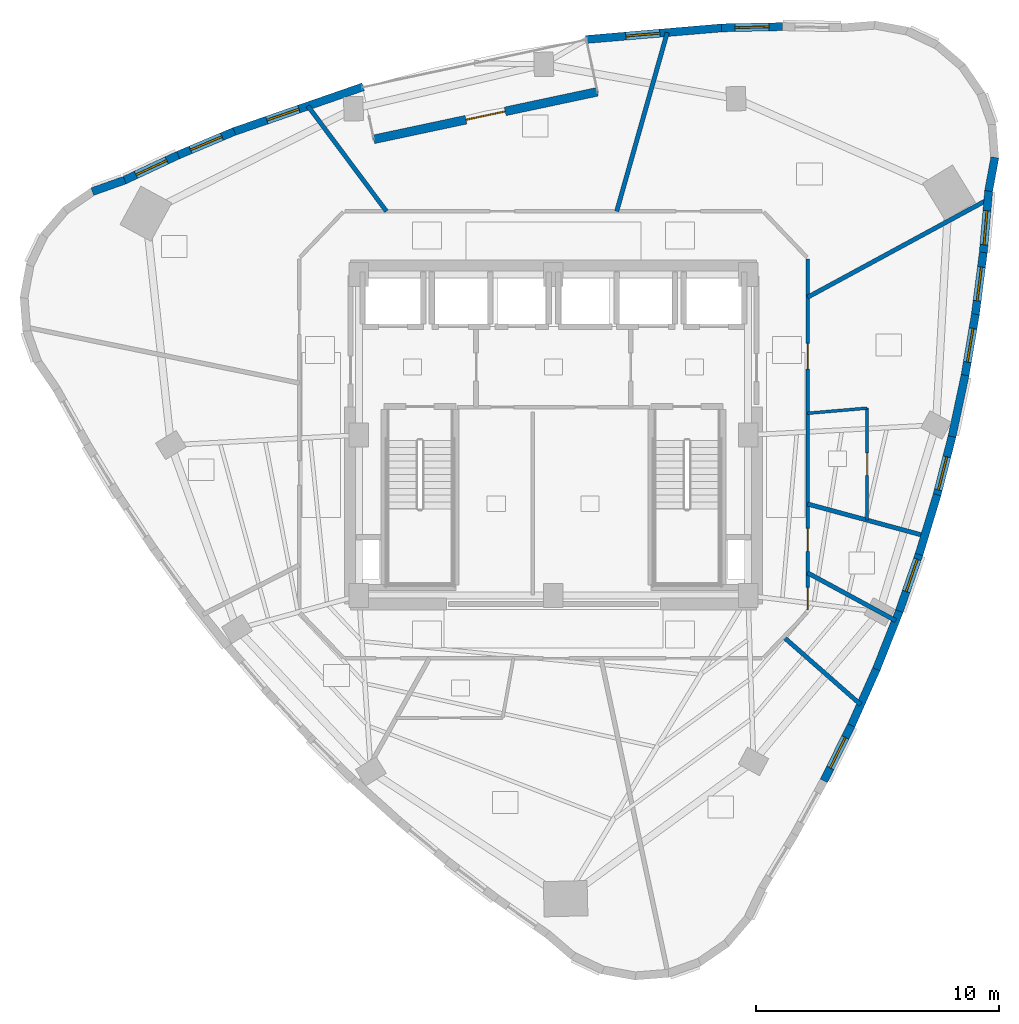
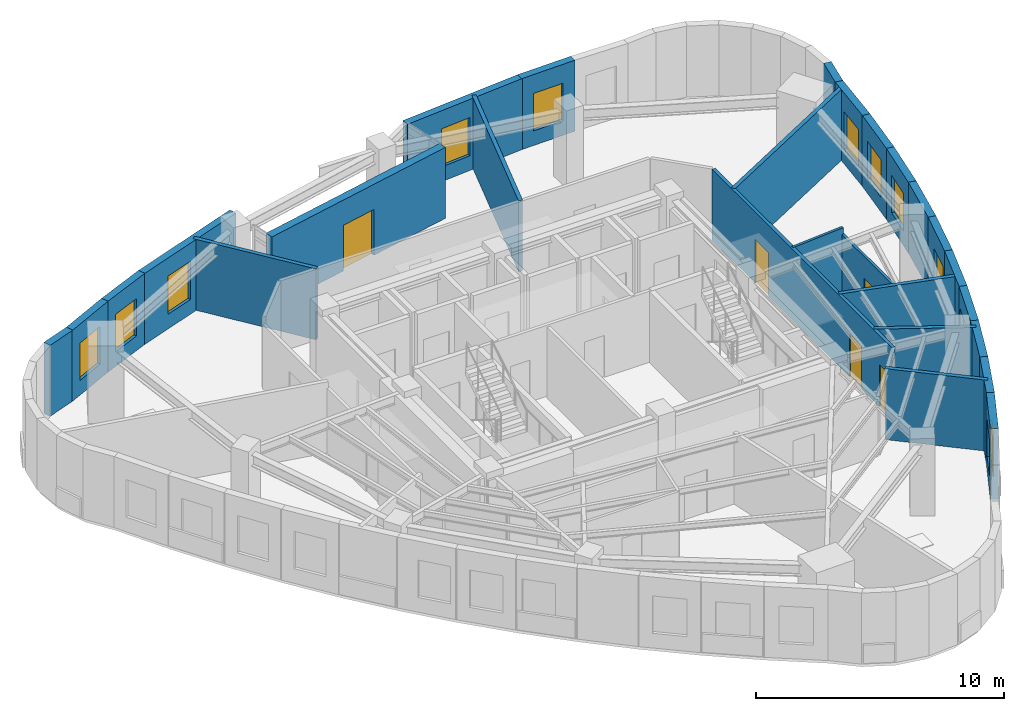
# One storey, part 6 of 10: 27 walls, 11 windows, 5 doors, 16 openings.
"""IFC4 building model written with IfcOpenShell, lengths in metres."""

from ifc_helpers import new_model, si_unit, direction, frame, frame_2d, origin, place, context, subcontext, project, spatial, rectangle, extrude, material, layer, layer_set, type_object, element, fill, save


model = new_model("IFC4")

# Units and contexts
model_context = context("Model", 3, precision=1e-05, world=origin(), true_north=direction((0.0, 1.0)))
body_context = subcontext(model_context, "Body", "Model", "MODEL_VIEW")
ifc_project = project(units=[si_unit("LENGTHUNIT", "METRE"), si_unit("AREAUNIT", "SQUARE_METRE"), si_unit("VOLUMEUNIT", "CUBIC_METRE"), si_unit("PLANEANGLEUNIT", "RADIAN"), si_unit("MASSUNIT", "GRAM", prefix="KILO")], contexts=[model_context])

# Site, building, storey
site_placement = place(None, origin())
site = spatial("IfcSite", under=ifc_project, at=site_placement, CompositionType="ELEMENT")
building_placement = place(site_placement, origin())
building = spatial("IfcBuilding", under=site, at=building_placement, Name="Ndelora Gate Hotel", CompositionType="ELEMENT")
storey_placement = place(building_placement, frame((0.0, 0.0, 251.14990234375)))
storey = spatial("IfcBuildingStorey", under=building, at=storey_placement, Name="L63", CompositionType="ELEMENT", Elevation=251.14990234375)

# Walls
ifc_material_1 = material(Name="Acoustic Double-Stud Gypsum Assembly", Category="gypsum")
ifc_layer_1 = layer(ifc_material_1, 0.179931640625)
ifc_layer_set_1 = layer_set([ifc_layer_1], Name="Acoustic Double-Stud Gypsum Assembly")
wall_type_1 = type_object("IfcWallType", Name="WL-ACOUST-180", PredefinedType="PARTITIONING", material=ifc_layer_set_1)
wall_1_placement = place(storey_placement, frame((10.449951171875, -2.83544921875, 0.0), z_axis=(0.0, 0.0, 1.0), x_axis=(0.965095058009, -0.261899845374, 0.0)))
element("IfcWall", 1, at=wall_1_placement, inside=storey, type_object=wall_type_1, Name="L63 Interior Wall IW-3", PredefinedType="PARTITIONING", context=body_context, shape_type="SweptSolid", body=[
    extrude(rectangle(XDim=4.989013671875, YDim=0.179931640625, at=frame_2d((2.49462890625, 0.0))), origin(), (0.0, 0.0, 1.0), 3.489990234375),
])
wall_2_placement = place(storey_placement, frame((10.449951171875, 5.665283203125, 0.0), z_axis=(0.0, 0.0, 1.0), x_axis=(0.879133819753, 0.476574996161, 0.0)))
element("IfcWall", 2, at=wall_2_placement, inside=storey, type_object=wall_type_1, Name="L63 Interior Wall IW-3", PredefinedType="PARTITIONING", context=body_context, shape_type="SweptSolid", body=[
    extrude(rectangle(XDim=8.434326171875, YDim=0.179931640625, at=frame_2d((4.21728515625, 0.0))), origin(), (0.0, 0.0, 1.0), 3.489990234375),
])
wall_3_placement = place(storey_placement, frame((2.600830078125, 9.199951171875, 0.0), z_axis=(0.0, 0.0, 1.0), x_axis=(0.272031000257, 0.962288488396, 0.0)))
element("IfcWall", 3, at=wall_3_placement, inside=storey, type_object=wall_type_1, Name="L63 Interior Wall IW-3", PredefinedType="PARTITIONING", context=body_context, shape_type="SweptSolid", body=[
    extrude(rectangle(XDim=7.638427734375, YDim=0.179931640625, at=frame_2d((3.8193359375, 0.0))), origin(), (0.0, 0.0, 1.0), 3.489990234375),
])
wall_4_placement = place(storey_placement, frame((-6.866455078125, 9.199951171875, 0.0), z_axis=(0.0, 0.0, 1.0), x_axis=(-0.598111697764, 0.801412750709, 0.0)))
element("IfcWall", 4, at=wall_4_placement, inside=storey, type_object=wall_type_1, Name="L63 Interior Wall IW-3", PredefinedType="PARTITIONING", context=body_context, shape_type="SweptSolid", body=[
    extrude(rectangle(XDim=5.404052734375, YDim=0.179931640625, at=frame_2d((2.7021484375, 0.0))), origin(), (0.0, 0.0, 1.0), 3.489990234375),
])
wall_5_placement = place(storey_placement, frame((9.464111328125, -8.3037109375, 0.0), z_axis=(0.0, 0.0, 1.0), x_axis=(0.751703129052, -0.659501634398, 0.0)))
element("IfcWall", 5, at=wall_5_placement, inside=storey, type_object=wall_type_1, Name="L63 Interior Wall IW-3", PredefinedType="PARTITIONING", context=body_context, shape_type="SweptSolid", body=[
    extrude(rectangle(XDim=4.210205078125, YDim=0.179931640625, at=frame_2d((2.10498046875, 0.0))), origin(), (0.0, 0.0, 1.0), 3.489990234375),
])
wall_6_placement = place(storey_placement, frame((10.449951171875, -5.666748046875, 0.0), z_axis=(0.0, 0.0, 1.0), x_axis=(0.879067247928, -0.476697780171, 0.0)))
element("IfcWall", 6, at=wall_6_placement, inside=storey, type_object=wall_type_1, Name="L63 Interior Wall IW-3", PredefinedType="PARTITIONING", context=body_context, shape_type="SweptSolid", body=[
    extrude(rectangle(XDim=4.11572265625, YDim=0.179931640625, at=frame_2d((2.057861328125, 0.0))), origin(), (0.0, 0.0, 1.0), 3.489990234375),
])
ifc_material_2 = material(Name="Clay Brick Masonry", Category="masonry")
ifc_layer_2 = layer(ifc_material_2, 0.330078125)
ifc_layer_set_2 = layer_set([ifc_layer_2], Name="Clay Brick Masonry")
wall_type_2 = type_object("IfcWallType", Name="WL-BRICK-330", PredefinedType="SOLIDWALL", material=ifc_layer_set_2)
wall_7_placement = place(storey_placement, frame((-18.959716796875, 10.010498046875, 0.0), z_axis=(0.0, 0.0, 1.0), x_axis=(0.942676111555, 0.333709077945, 0.0)))
element("IfcWall", 7, at=wall_7_placement, inside=storey, type_object=wall_type_2, Name="L63 Tower Brick Pier-and-Spandrel Wall TWR-1", PredefinedType="SOLIDWALL", context=body_context, shape_type="SweptSolid", body=[
    extrude(rectangle(XDim=1.40771484375, YDim=0.330078125, at=frame_2d((0.703857421875, 0.0))), origin(), (0.0, 0.0, 1.0), 3.489990234375),
])

# Wall, opening, window
wall_8_placement = place(storey_placement, frame((12.267333984375, -11.89501953125, 0.0), z_axis=(0.0, 0.0, 1.0), x_axis=(-0.44393335953, -0.896059803973, 0.0)))
wall_8 = element("IfcWall", 8, at=wall_8_placement, inside=storey, type_object=wall_type_2, Name="L63 Tower Brick Pier-and-Spandrel Wall TWR-31", PredefinedType="SOLIDWALL", context=body_context, shape_type="SweptSolid", body=[
    extrude(rectangle(XDim=2.592529296875, YDim=0.330078125, at=frame_2d((1.29638671875, 0.0))), origin(), (0.0, 0.0, 1.0), 3.489990234375),
])
opening_1_placement = place(wall_8_placement, frame((0.59619140625, 0.0, 0.719970703125)))
opening_1 = element("IfcOpeningElement", 9, at=opening_1_placement, cuts=wall_8, Name="Opening W02", PredefinedType="OPENING", context=body_context, shape_type="SweptSolid", body=[
    extrude(rectangle(XDim=1.39990234375, YDim=1.840087890625, at=frame_2d((0.699951171875, 0.919921875))), frame((0.0, 0.175048828125, 0.0), z_axis=(0.0, -1.0, 0.0), x_axis=(1.0, 0.0, 0.0)), (0.0, 0.0, 1.0), 0.35009765625),
])
ifc_material_3 = material(Name="Insulated Low-E Double Glazing in Bronze Aluminium Frame", Category="aluminium")
window_type = type_object("IfcWindowType", Name="WN-DEEP-1400", PartitioningType="SINGLE_PANEL", PredefinedType="WINDOW", material=ifc_material_3)
window_1_placement = place(opening_1_placement, origin())
window_1 = element("IfcWindow", 10, at=window_1_placement, inside=storey, type_object=window_type, Name="L63 Deep-Set Brick-Pier Window W02", OverallHeight=1.840087890625, OverallWidth=1.39990234375, PartitioningType="SINGLE_PANEL", PredefinedType="WINDOW", context=body_context, shape_type="SweptSolid", body=[
    extrude(rectangle(XDim=1.39990234375, YDim=1.840087890625, at=frame_2d((0.699951171875, 0.919921875))), frame((0.0, 0.030029296875, 0.0), z_axis=(0.0, -1.0, 0.0), x_axis=(1.0, 0.0, 0.0)), (0.0, 0.0, 1.0), 0.06005859375),
])
fill(opening_1, window_1)

# Walls
wall_9_placement = place(storey_placement, frame((13.294921875, -9.583740234375, 0.0), z_axis=(0.0, 0.0, 1.0), x_axis=(-0.406630213632, -0.913592835656, 0.0)))
element("IfcWall", 11, at=wall_9_placement, inside=storey, type_object=wall_type_2, Name="L63 Tower Brick Pier-and-Spandrel Wall TWR-32", PredefinedType="SOLIDWALL", context=body_context, shape_type="SweptSolid", body=[
    extrude(rectangle(XDim=2.579345703125, YDim=0.330078125, at=frame_2d((1.28955078125, 0.0))), origin(), (0.0, 0.0, 1.0), 3.489990234375),
])
wall_10_placement = place(storey_placement, frame((14.2216796875, -7.23974609375, 0.0), z_axis=(0.0, 0.0, 1.0), x_axis=(-0.368145960329, -0.929768009717, 0.0)))
element("IfcWall", 12, at=wall_10_placement, inside=storey, type_object=wall_type_2, Name="L63 Tower Brick Pier-and-Spandrel Wall TWR-33", PredefinedType="SOLIDWALL", context=body_context, shape_type="SweptSolid", body=[
    extrude(rectangle(XDim=2.5703125, YDim=0.330078125, at=frame_2d((1.28515625, 0.0))), origin(), (0.0, 0.0, 1.0), 3.489990234375),
])

# Wall, opening, window
wall_11_placement = place(storey_placement, frame((15.04833984375, -4.86328125, 0.0), z_axis=(0.0, 0.0, 1.0), x_axis=(-0.328900678989, -0.944364518266, 0.0)))
wall_11 = element("IfcWall", 13, at=wall_11_placement, inside=storey, type_object=wall_type_2, Name="L63 Tower Brick Pier-and-Spandrel Wall TWR-34", PredefinedType="SOLIDWALL", context=body_context, shape_type="SweptSolid", body=[
    extrude(rectangle(XDim=2.566162109375, YDim=0.330078125, at=frame_2d((1.283203125, 0.0))), origin(), (0.0, 0.0, 1.0), 3.489990234375),
])
opening_2_placement = place(wall_11_placement, frame((0.260009765625, 0.0, 0.719970703125)))
opening_2 = element("IfcOpeningElement", 14, at=opening_2_placement, cuts=wall_11, Name="Opening W02", PredefinedType="OPENING", context=body_context, shape_type="SweptSolid", body=[
    extrude(rectangle(XDim=1.39990234375, YDim=1.840087890625, at=frame_2d((0.699951171875, 0.919921875))), frame((0.0, 0.175048828125, 0.0), z_axis=(0.0, -1.0, 0.0), x_axis=(1.0, 0.0, 0.0)), (0.0, 0.0, 1.0), 0.35009765625),
])
window_2_placement = place(opening_2_placement, origin())
window_2 = element("IfcWindow", 15, at=window_2_placement, inside=storey, type_object=window_type, Name="L63 Deep-Set Brick-Pier Window W02", OverallHeight=1.840087890625, OverallWidth=1.39990234375, PartitioningType="SINGLE_PANEL", PredefinedType="WINDOW", context=body_context, shape_type="SweptSolid", body=[
    extrude(rectangle(XDim=1.39990234375, YDim=1.840087890625, at=frame_2d((0.699951171875, 0.919921875))), frame((0.0, 0.030029296875, 0.0), z_axis=(0.0, -1.0, 0.0), x_axis=(1.0, 0.0, 0.0)), (0.0, 0.0, 1.0), 0.06005859375),
])
fill(opening_2, window_2)

# Wall
wall_12_placement = place(storey_placement, frame((15.7744140625, -2.4541015625, 0.0), z_axis=(0.0, 0.0, 1.0), x_axis=(-0.288953589152, -0.957343106371, 0.0)))
element("IfcWall", 16, at=wall_12_placement, inside=storey, type_object=wall_type_2, Name="L63 Tower Brick Pier-and-Spandrel Wall TWR-35", PredefinedType="SOLIDWALL", context=body_context, shape_type="SweptSolid", body=[
    extrude(rectangle(XDim=2.56591796875, YDim=0.330078125, at=frame_2d((1.282958984375, 0.0))), origin(), (0.0, 0.0, 1.0), 3.489990234375),
])

# Wall, opening, window
wall_13_placement = place(storey_placement, frame((16.400390625, -0.012451171875, 0.0), z_axis=(0.0, 0.0, 1.0), x_axis=(-0.248743226802, -0.968569464272, 0.0)))
wall_13 = element("IfcWall", 17, at=wall_13_placement, inside=storey, type_object=wall_type_2, Name="L63 Tower Brick Pier-and-Spandrel Wall TWR-36", PredefinedType="SOLIDWALL", context=body_context, shape_type="SweptSolid", body=[
    extrude(rectangle(XDim=2.570556640625, YDim=0.330078125, at=frame_2d((1.28515625, 0.0))), origin(), (0.0, 0.0, 1.0), 3.489990234375),
])
opening_3_placement = place(wall_13_placement, frame((0.91064453125, 0.0, 0.719970703125)))
opening_3 = element("IfcOpeningElement", 18, at=opening_3_placement, cuts=wall_13, Name="Opening W02", PredefinedType="OPENING", context=body_context, shape_type="SweptSolid", body=[
    extrude(rectangle(XDim=1.39990234375, YDim=1.840087890625, at=frame_2d((0.699951171875, 0.919921875))), frame((0.0, 0.175048828125, 0.0), z_axis=(0.0, -1.0, 0.0), x_axis=(1.0, 0.0, 0.0)), (0.0, 0.0, 1.0), 0.35009765625),
])
window_3_placement = place(opening_3_placement, origin())
window_3 = element("IfcWindow", 19, at=window_3_placement, inside=storey, type_object=window_type, Name="L63 Deep-Set Brick-Pier Window W02", OverallHeight=1.840087890625, OverallWidth=1.39990234375, PartitioningType="SINGLE_PANEL", PredefinedType="WINDOW", context=body_context, shape_type="SweptSolid", body=[
    extrude(rectangle(XDim=1.39990234375, YDim=1.840087890625, at=frame_2d((0.699951171875, 0.919921875))), frame((0.0, 0.030029296875, 0.0), z_axis=(0.0, -1.0, 0.0), x_axis=(1.0, 0.0, 0.0)), (0.0, 0.0, 1.0), 0.06005859375),
])
fill(opening_3, window_3)

# Wall
wall_14_placement = place(storey_placement, frame((16.925537109375, 2.4619140625, 0.0), z_axis=(0.0, 0.0, 1.0), x_axis=(-0.208022879961, -0.978123960146, 0.0)))
element("IfcWall", 20, at=wall_14_placement, inside=storey, type_object=wall_type_2, Name="L63 Tower Brick Pier-and-Spandrel Wall TWR-37", PredefinedType="SOLIDWALL", context=body_context, shape_type="SweptSolid", body=[
    extrude(rectangle(XDim=2.57958984375, YDim=0.330078125, at=frame_2d((1.289794921875, 0.0))), origin(), (0.0, 0.0, 1.0), 3.489990234375),
])

# Wall, opening, window
wall_15_placement = place(storey_placement, frame((17.3505859375, 4.968505859375, 0.0), z_axis=(0.0, 0.0, 1.0), x_axis=(-0.167528680251, -0.985867202667, 0.0)))
wall_15 = element("IfcWall", 21, at=wall_15_placement, inside=storey, type_object=wall_type_2, Name="L63 Tower Brick Pier-and-Spandrel Wall TWR-38", PredefinedType="SOLIDWALL", context=body_context, shape_type="SweptSolid", body=[
    extrude(rectangle(XDim=2.592529296875, YDim=0.330078125, at=frame_2d((1.29638671875, 0.0))), origin(), (0.0, 0.0, 1.0), 3.489990234375),
])
opening_4_placement = place(wall_15_placement, frame((0.59619140625, 0.0, 0.719970703125)))
opening_4 = element("IfcOpeningElement", 22, at=opening_4_placement, cuts=wall_15, Name="Opening W02", PredefinedType="OPENING", context=body_context, shape_type="SweptSolid", body=[
    extrude(rectangle(XDim=1.39990234375, YDim=1.840087890625, at=frame_2d((0.699951171875, 0.919921875))), frame((0.0, 0.175048828125, 0.0), z_axis=(0.0, -1.0, 0.0), x_axis=(1.0, 0.0, 0.0)), (0.0, 0.0, 1.0), 0.35009765625),
])
window_4_placement = place(opening_4_placement, origin())
window_4 = element("IfcWindow", 23, at=window_4_placement, inside=storey, type_object=window_type, Name="L63 Deep-Set Brick-Pier Window W02", OverallHeight=1.840087890625, OverallWidth=1.39990234375, PartitioningType="SINGLE_PANEL", PredefinedType="WINDOW", context=body_context, shape_type="SweptSolid", body=[
    extrude(rectangle(XDim=1.39990234375, YDim=1.840087890625, at=frame_2d((0.699951171875, 0.919921875))), frame((0.0, 0.030029296875, 0.0), z_axis=(0.0, -1.0, 0.0), x_axis=(1.0, 0.0, 0.0)), (0.0, 0.0, 1.0), 0.06005859375),
])
fill(opening_4, window_4)

wall_16_placement = place(storey_placement, frame((17.67529296875, 7.5078125, 0.0), z_axis=(0.0, 0.0, 1.0), x_axis=(-0.127223311808, -0.991874099336, 0.0)))
wall_16 = element("IfcWall", 24, at=wall_16_placement, inside=storey, type_object=wall_type_2, Name="L63 Tower Brick Pier-and-Spandrel Wall TWR-39", PredefinedType="SOLIDWALL", context=body_context, shape_type="SweptSolid", body=[
    extrude(rectangle(XDim=2.60986328125, YDim=0.330078125, at=frame_2d((1.304931640625, 0.0))), origin(), (0.0, 0.0, 1.0), 3.489990234375),
])
opening_5_placement = place(wall_16_placement, frame((0.60498046875, 0.0, 0.719970703125)))
opening_5 = element("IfcOpeningElement", 25, at=opening_5_placement, cuts=wall_16, Name="Opening W02", PredefinedType="OPENING", context=body_context, shape_type="SweptSolid", body=[
    extrude(rectangle(XDim=1.39990234375, YDim=1.840087890625, at=frame_2d((0.699951171875, 0.919921875))), frame((0.0, 0.175048828125, 0.0), z_axis=(0.0, -1.0, 0.0), x_axis=(1.0, 0.0, 0.0)), (0.0, 0.0, 1.0), 0.35009765625),
])
window_5_placement = place(opening_5_placement, origin())
window_5 = element("IfcWindow", 26, at=window_5_placement, inside=storey, type_object=window_type, Name="L63 Deep-Set Brick-Pier Window W02", OverallHeight=1.840087890625, OverallWidth=1.39990234375, PartitioningType="SINGLE_PANEL", PredefinedType="WINDOW", context=body_context, shape_type="SweptSolid", body=[
    extrude(rectangle(XDim=1.39990234375, YDim=1.840087890625, at=frame_2d((0.699951171875, 0.919921875))), frame((0.0, 0.030029296875, 0.0), z_axis=(0.0, -1.0, 0.0), x_axis=(1.0, 0.0, 0.0)), (0.0, 0.0, 1.0), 0.06005859375),
])
fill(opening_5, window_5)

wall_17_placement = place(storey_placement, frame((17.8994140625, 10.079833984375, 0.0), z_axis=(0.0, 0.0, 1.0), x_axis=(-0.087206078915, -0.996190292966, 0.0)))
wall_17 = element("IfcWall", 27, at=wall_17_placement, inside=storey, type_object=wall_type_2, Name="L63 Tower Brick Pier-and-Spandrel Wall TWR-40", PredefinedType="SOLIDWALL", context=body_context, shape_type="SweptSolid", body=[
    extrude(rectangle(XDim=2.631591796875, YDim=0.330078125, at=frame_2d((1.31591796875, 0.0))), origin(), (0.0, 0.0, 1.0), 3.489990234375),
])
opening_6_placement = place(wall_17_placement, frame((0.860107421875, 0.0, 0.719970703125)))
opening_6 = element("IfcOpeningElement", 28, at=opening_6_placement, cuts=wall_17, Name="Opening W02", PredefinedType="OPENING", context=body_context, shape_type="SweptSolid", body=[
    extrude(rectangle(XDim=1.39990234375, YDim=1.840087890625, at=frame_2d((0.699951171875, 0.919921875))), frame((0.0, 0.175048828125, 0.0), z_axis=(0.0, -1.0, 0.0), x_axis=(1.0, 0.0, 0.0)), (0.0, 0.0, 1.0), 0.35009765625),
])
window_6_placement = place(opening_6_placement, origin())
window_6 = element("IfcWindow", 29, at=window_6_placement, inside=storey, type_object=window_type, Name="L63 Deep-Set Brick-Pier Window W02", OverallHeight=1.840087890625, OverallWidth=1.39990234375, PartitioningType="SINGLE_PANEL", PredefinedType="WINDOW", context=body_context, shape_type="SweptSolid", body=[
    extrude(rectangle(XDim=1.39990234375, YDim=1.840087890625, at=frame_2d((0.699951171875, 0.919921875))), frame((0.0, 0.030029296875, 0.0), z_axis=(0.0, -1.0, 0.0), x_axis=(1.0, 0.0, 0.0)), (0.0, 0.0, 1.0), 0.06005859375),
])
fill(opening_6, window_6)

# Wall
wall_18_placement = place(storey_placement, frame((18.149169921875, 11.414306640625, 0.0), z_axis=(0.0, 0.0, 1.0), x_axis=(-0.182288002174, -0.983245180137, 0.0)))
element("IfcWall", 30, at=wall_18_placement, inside=storey, type_object=wall_type_2, Name="L63 Tower Brick Pier-and-Spandrel Wall TWR-41", PredefinedType="SOLIDWALL", context=body_context, shape_type="SweptSolid", body=[
    extrude(rectangle(XDim=1.40771484375, YDim=0.330078125, at=frame_2d((0.703857421875, 0.0))), origin(), (0.0, 0.0, 1.0), 3.489990234375),
])

# Wall, opening, window
wall_19_placement = place(storey_placement, frame((6.908935546875, 16.74267578125, 0.0), z_axis=(0.0, 0.0, 1.0), x_axis=(0.999793112997, 0.02034038359, 0.0)))
wall_19 = element("IfcWall", 31, at=wall_19_placement, inside=storey, type_object=wall_type_2, Name="L63 Tower Brick Pier-and-Spandrel Wall TWR-50", PredefinedType="SOLIDWALL", context=body_context, shape_type="SweptSolid", body=[
    extrude(rectangle(XDim=2.508544921875, YDim=0.330078125, at=frame_2d((1.25439453125, 0.0))), origin(), (0.0, 0.0, 1.0), 3.489990234375),
])
opening_7_placement = place(wall_19_placement, frame((0.554443359375, 0.0, 0.719970703125)))
opening_7 = element("IfcOpeningElement", 32, at=opening_7_placement, cuts=wall_19, Name="Opening W02", PredefinedType="OPENING", context=body_context, shape_type="SweptSolid", body=[
    extrude(rectangle(XDim=1.39990234375, YDim=1.840087890625, at=frame_2d((0.699951171875, 0.919921875))), frame((0.0, 0.175048828125, 0.0), z_axis=(0.0, -1.0, 0.0), x_axis=(1.0, 0.0, 0.0)), (0.0, 0.0, 1.0), 0.35009765625),
])
window_7_placement = place(opening_7_placement, origin())
window_7 = element("IfcWindow", 33, at=window_7_placement, inside=storey, type_object=window_type, Name="L63 Deep-Set Brick-Pier Window W02", OverallHeight=1.840087890625, OverallWidth=1.39990234375, PartitioningType="SINGLE_PANEL", PredefinedType="WINDOW", context=body_context, shape_type="SweptSolid", body=[
    extrude(rectangle(XDim=1.39990234375, YDim=1.840087890625, at=frame_2d((0.699951171875, 0.919921875))), frame((0.0, 0.030029296875, 0.0), z_axis=(0.0, -1.0, 0.0), x_axis=(1.0, 0.0, 0.0)), (0.0, 0.0, 1.0), 0.06005859375),
])
fill(opening_7, window_7)

wall_20_placement = place(storey_placement, frame((1.32275390625, 16.263427734375, 0.0), z_axis=(0.0, 0.0, 1.0), x_axis=(0.996367604773, 0.085156304276, 0.0)))
wall_20 = element("IfcWall", 34, at=wall_20_placement, inside=storey, type_object=wall_type_2, Name="L63 Tower Brick Pier-and-Spandrel Wall TWR-51", PredefinedType="SOLIDWALL", context=body_context, shape_type="SweptSolid", body=[
    extrude(rectangle(XDim=5.656494140625, YDim=0.330078125, at=frame_2d((2.828125, 0.0))), origin(), (0.0, 0.0, 1.0), 3.489990234375),
])
opening_8_placement = place(wall_20_placement, frame((1.659912109375, 0.0, 0.719970703125)))
opening_8 = element("IfcOpeningElement", 35, at=opening_8_placement, cuts=wall_20, Name="Opening W02", PredefinedType="OPENING", context=body_context, shape_type="SweptSolid", body=[
    extrude(rectangle(XDim=1.39990234375, YDim=1.8798828125, at=frame_2d((0.699951171875, 0.93994140625))), frame((0.0, 0.175048828125, 0.0), z_axis=(0.0, -1.0, 0.0), x_axis=(1.0, 0.0, 0.0)), (0.0, 0.0, 1.0), 0.35009765625),
])
window_8_placement = place(opening_8_placement, origin())
window_8 = element("IfcWindow", 36, at=window_8_placement, inside=storey, type_object=window_type, Name="L63 Deep-Set Brick-Pier Window W02", OverallHeight=1.8798828125, OverallWidth=1.39990234375, PartitioningType="SINGLE_PANEL", PredefinedType="WINDOW", context=body_context, shape_type="SweptSolid", body=[
    extrude(rectangle(XDim=1.39990234375, YDim=1.8798828125, at=frame_2d((0.699951171875, 0.93994140625))), frame((0.0, 0.030029296875, 0.0), z_axis=(0.0, -1.0, 0.0), x_axis=(1.0, 0.0, 0.0)), (0.0, 0.0, 1.0), 0.06005859375),
])
fill(opening_8, window_8)

wall_21_placement = place(storey_placement, frame((-13.168212890625, 12.467041015625, 0.0), z_axis=(0.0, 0.0, 1.0), x_axis=(0.944870563984, 0.327444067462, 0.0)))
wall_21 = element("IfcWall", 37, at=wall_21_placement, inside=storey, type_object=wall_type_2, Name="L63 Tower Brick Pier-and-Spandrel Wall TWR-56", PredefinedType="SOLIDWALL", context=body_context, shape_type="SweptSolid", body=[
    extrude(rectangle(XDim=5.65673828125, YDim=0.330078125, at=frame_2d((2.828369140625, 0.0))), origin(), (0.0, 0.0, 1.0), 3.489990234375),
])
opening_9_placement = place(wall_21_placement, frame((1.4599609375, 0.0, 0.719970703125)))
opening_9 = element("IfcOpeningElement", 38, at=opening_9_placement, cuts=wall_21, Name="Opening W02", PredefinedType="OPENING", context=body_context, shape_type="SweptSolid", body=[
    extrude(rectangle(XDim=1.39990234375, YDim=1.8798828125, at=frame_2d((0.699951171875, 0.93994140625))), frame((0.0, 0.175048828125, 0.0), z_axis=(0.0, -1.0, 0.0), x_axis=(1.0, 0.0, 0.0)), (0.0, 0.0, 1.0), 0.35009765625),
])
window_9_placement = place(opening_9_placement, origin())
window_9 = element("IfcWindow", 39, at=window_9_placement, inside=storey, type_object=window_type, Name="L63 Deep-Set Brick-Pier Window W02", OverallHeight=1.8798828125, OverallWidth=1.39990234375, PartitioningType="SINGLE_PANEL", PredefinedType="WINDOW", context=body_context, shape_type="SweptSolid", body=[
    extrude(rectangle(XDim=1.39990234375, YDim=1.8798828125, at=frame_2d((0.699951171875, 0.93994140625))), frame((0.0, 0.030029296875, 0.0), z_axis=(0.0, -1.0, 0.0), x_axis=(1.0, 0.0, 0.0)), (0.0, 0.0, 1.0), 0.06005859375),
])
fill(opening_9, window_9)

wall_22_placement = place(storey_placement, frame((-15.43359375, 11.511474609375, 0.0), z_axis=(0.0, 0.0, 1.0), x_axis=(0.921613390956, 0.388109208356, 0.0)))
wall_22 = element("IfcWall", 40, at=wall_22_placement, inside=storey, type_object=wall_type_2, Name="L63 Tower Brick Pier-and-Spandrel Wall TWR-57", PredefinedType="SOLIDWALL", context=body_context, shape_type="SweptSolid", body=[
    extrude(rectangle(XDim=2.508544921875, YDim=0.330078125, at=frame_2d((1.25439453125, 0.0))), origin(), (0.0, 0.0, 1.0), 3.489990234375),
])
opening_10_placement = place(wall_22_placement, frame((0.554443359375, 0.0, 0.719970703125)))
opening_10 = element("IfcOpeningElement", 41, at=opening_10_placement, cuts=wall_22, Name="Opening W02", PredefinedType="OPENING", context=body_context, shape_type="SweptSolid", body=[
    extrude(rectangle(XDim=1.39990234375, YDim=1.840087890625, at=frame_2d((0.699951171875, 0.919921875))), frame((0.0, 0.175048828125, 0.0), z_axis=(0.0, -1.0, 0.0), x_axis=(1.0, 0.0, 0.0)), (0.0, 0.0, 1.0), 0.35009765625),
])
window_10_placement = place(opening_10_placement, origin())
window_10 = element("IfcWindow", 42, at=window_10_placement, inside=storey, type_object=window_type, Name="L63 Deep-Set Brick-Pier Window W02", OverallHeight=1.840087890625, OverallWidth=1.39990234375, PartitioningType="SINGLE_PANEL", PredefinedType="WINDOW", context=body_context, shape_type="SweptSolid", body=[
    extrude(rectangle(XDim=1.39990234375, YDim=1.840087890625, at=frame_2d((0.699951171875, 0.919921875))), frame((0.0, 0.030029296875, 0.0), z_axis=(0.0, -1.0, 0.0), x_axis=(1.0, 0.0, 0.0)), (0.0, 0.0, 1.0), 0.06005859375),
])
fill(opening_10, window_10)

wall_23_placement = place(storey_placement, frame((-17.67919921875, 10.46142578125, 0.0), z_axis=(0.0, 0.0, 1.0), x_axis=(0.906022763017, 0.423228960369, 0.0)))
wall_23 = element("IfcWall", 43, at=wall_23_placement, inside=storey, type_object=wall_type_2, Name="L63 Tower Brick Pier-and-Spandrel Wall TWR-58", PredefinedType="SOLIDWALL", context=body_context, shape_type="SweptSolid", body=[
    extrude(rectangle(XDim=2.52880859375, YDim=0.330078125, at=frame_2d((1.264404296875, 0.0))), origin(), (0.0, 0.0, 1.0), 3.489990234375),
])
opening_11_placement = place(wall_23_placement, frame((0.564453125, 0.0, 0.719970703125)))
opening_11 = element("IfcOpeningElement", 44, at=opening_11_placement, cuts=wall_23, Name="Opening W02", PredefinedType="OPENING", context=body_context, shape_type="SweptSolid", body=[
    extrude(rectangle(XDim=1.39990234375, YDim=1.840087890625, at=frame_2d((0.699951171875, 0.919921875))), frame((0.0, 0.175048828125, 0.0), z_axis=(0.0, -1.0, 0.0), x_axis=(1.0, 0.0, 0.0)), (0.0, 0.0, 1.0), 0.35009765625),
])
window_11_placement = place(opening_11_placement, origin())
window_11 = element("IfcWindow", 45, at=window_11_placement, inside=storey, type_object=window_type, Name="L63 Deep-Set Brick-Pier Window W02", OverallHeight=1.840087890625, OverallWidth=1.39990234375, PartitioningType="SINGLE_PANEL", PredefinedType="WINDOW", context=body_context, shape_type="SweptSolid", body=[
    extrude(rectangle(XDim=1.39990234375, YDim=1.840087890625, at=frame_2d((0.699951171875, 0.919921875))), frame((0.0, 0.030029296875, 0.0), z_axis=(0.0, -1.0, 0.0), x_axis=(1.0, 0.0, 0.0)), (0.0, 0.0, 1.0), 0.06005859375),
])
fill(opening_11, window_11)

# Wall, opening, door
ifc_layer_3 = layer(ifc_material_2, 0.360107421875)
ifc_layer_set_3 = layer_set([ifc_layer_3], Name="Clay Brick Masonry")
wall_type_3 = type_object("IfcWallType", Name="WL-BRICK-360", PredefinedType="SOLIDWALL", material=ifc_layer_set_3)
wall_24_placement = place(storey_placement, frame((-7.389404296875, 12.1591796875, 0.0), z_axis=(0.0, 0.0, 1.0), x_axis=(0.978148090206, 0.207909388017, 0.0)))
wall_24 = element("IfcWall", 46, at=wall_24_placement, inside=storey, type_object=wall_type_3, Name="L63 Sky-Garden Loggia Rear Brick Wall", PredefinedType="SOLIDWALL", context=body_context, shape_type="SweptSolid", body=[
    extrude(rectangle(XDim=9.39990234375, YDim=0.360107421875, at=frame_2d((4.699951171875, 0.0))), origin(), (0.0, 0.0, 1.0), 3.489990234375),
])
opening_12_placement = place(wall_24_placement, frame((3.875, 0.0, 0.0)))
opening_12 = element("IfcOpeningElement", 47, at=opening_12_placement, cuts=wall_24, Name="Opening TD1", PredefinedType="OPENING", context=body_context, shape_type="SweptSolid", body=[
    extrude(rectangle(XDim=1.64990234375, YDim=2.25, at=frame_2d((0.824951171875, 1.125))), frame((0.0, 0.18994140625, 0.0), z_axis=(0.0, -1.0, 0.0), x_axis=(1.0, 0.0, 0.0)), (0.0, 0.0, 1.0), 0.380126953125),
])
ifc_material_4 = material(Name="Architectural Bronze Glazed Door", Category="metal")
door_type_1 = type_object("IfcDoorType", Name="DR-TER-1650", OperationType="DOUBLE_DOOR_SINGLE_SWING", PredefinedType="DOOR", material=ifc_material_4)
door_1_placement = place(opening_12_placement, origin())
door_1 = element("IfcDoor", 48, at=door_1_placement, inside=storey, type_object=door_type_1, Name="L63 Sky-Garden Terrace Double Door TD1", OperationType="DOUBLE_DOOR_SINGLE_SWING", OverallHeight=2.25, OverallWidth=1.64990234375, PredefinedType="DOOR", context=body_context, shape_type="SweptSolid", body=[
    extrude(rectangle(XDim=1.64990234375, YDim=2.25, at=frame_2d((0.824951171875, 1.125))), frame((0.0, 0.02490234375, 0.0), z_axis=(0.0, -1.0, 0.0), x_axis=(1.0, 0.0, 0.0)), (0.0, 0.0, 1.0), 0.050048828125),
])
fill(opening_12, door_1)

# Wall, openings, doors
ifc_material_5 = material(Name="Fire-Rated Gypsum Stud Partition", Category="gypsum")
ifc_layer_4 = layer(ifc_material_5, 0.14990234375)
ifc_layer_set_4 = layer_set([ifc_layer_4], Name="Fire-Rated Gypsum Stud Partition")
wall_type_4 = type_object("IfcWallType", Name="WL-PART-150", PredefinedType="PARTITIONING", material=ifc_layer_set_4)
wall_25_placement = place(storey_placement, frame((10.449951171875, 7.239990234375, 0.0), z_axis=(0.0, 0.0, 1.0), x_axis=(0.0, -1.0, 0.0)))
wall_25 = element("IfcWall", 49, at=wall_25_placement, inside=storey, type_object=wall_type_4, Name="L63 Interior Wall IW-5", PredefinedType="PARTITIONING", context=body_context, shape_type="SweptSolid", body=[
    extrude(rectangle(XDim=14.47998046875, YDim=0.14990234375, at=frame_2d((7.239990234375, 0.0))), origin(), (0.0, 0.0, 1.0), 3.489990234375),
])
opening_13_placement = place(wall_25_placement, frame((13.5, 0.0, 0.0)))
opening_13 = element("IfcOpeningElement", 50, at=opening_13_placement, cuts=wall_25, Name="Opening D04", PredefinedType="OPENING", context=body_context, shape_type="SweptSolid", body=[
    extrude(rectangle(XDim=0.919921875, YDim=2.050048828125, at=frame_2d((0.4599609375, 1.02490234375))), frame((0.0, 0.0849609375, 0.0), z_axis=(0.0, -1.0, 0.0), x_axis=(1.0, 0.0, 0.0)), (0.0, 0.0, 1.0), 0.169921875),
])
opening_14_placement = place(wall_25_placement, frame((11.0771484375, 0.0, 0.0)))
opening_14 = element("IfcOpeningElement", 51, at=opening_14_placement, cuts=wall_25, Name="Opening D05", PredefinedType="OPENING", context=body_context, shape_type="SweptSolid", body=[
    extrude(rectangle(XDim=0.949951171875, YDim=2.10009765625, at=frame_2d((0.47509765625, 1.050048828125))), frame((0.0, 0.0849609375, 0.0), z_axis=(0.0, -1.0, 0.0), x_axis=(1.0, 0.0, 0.0)), (0.0, 0.0, 1.0), 0.169921875),
])
opening_15_placement = place(wall_25_placement, frame((3.468505859375, 0.0, 0.0)))
opening_15 = element("IfcOpeningElement", 52, at=opening_15_placement, cuts=wall_25, Name="Opening D07", PredefinedType="OPENING", context=body_context, shape_type="SweptSolid", body=[
    extrude(rectangle(XDim=1.06005859375, YDim=2.14990234375, at=frame_2d((0.530029296875, 1.074951171875))), frame((0.0, 0.0849609375, 0.0), z_axis=(0.0, -1.0, 0.0), x_axis=(1.0, 0.0, 0.0)), (0.0, 0.0, 1.0), 0.169921875),
])
ifc_material_6 = material(Name="Accessible Restroom Wide-Clearance Door", Category="wood")
door_type_2 = type_object("IfcDoorType", Name="DR-ACC-950", OperationType="SINGLE_SWING_LEFT", PredefinedType="DOOR", material=ifc_material_6)
door_2_placement = place(opening_14_placement, origin())
door_2 = element("IfcDoor", 53, at=door_2_placement, inside=storey, type_object=door_type_2, Name="L63 Accessible WC Entrance Door", OperationType="SINGLE_SWING_LEFT", OverallHeight=2.10009765625, OverallWidth=0.949951171875, PredefinedType="DOOR", context=body_context, shape_type="SweptSolid", body=[
    extrude(rectangle(XDim=0.949951171875, YDim=2.10009765625, at=frame_2d((0.47509765625, 1.050048828125))), frame((0.0, 0.02490234375, 0.0), z_axis=(0.0, -1.0, 0.0), x_axis=(1.0, 0.0, 0.0)), (0.0, 0.0, 1.0), 0.050048828125),
])
fill(opening_14, door_2)
ifc_material_7 = material(Name="Painted Steel Core Service Door", Category="steel")
door_type_3 = type_object("IfcDoorType", Name="DR-SER-920", OperationType="SINGLE_SWING_LEFT", PredefinedType="DOOR", material=ifc_material_7)
door_3_placement = place(opening_13_placement, origin())
door_3 = element("IfcDoor", 54, at=door_3_placement, inside=storey, type_object=door_type_3, Name="L63 Housekeeping and Linen Room Entrance Door", OperationType="SINGLE_SWING_RIGHT", OverallHeight=2.050048828125, OverallWidth=0.919921875, PredefinedType="DOOR", context=body_context, shape_type="SweptSolid", body=[
    extrude(rectangle(XDim=0.919921875, YDim=2.050048828125, at=frame_2d((0.4599609375, 1.02490234375))), frame((0.0, 0.02490234375, 0.0), z_axis=(0.0, -1.0, 0.0), x_axis=(1.0, 0.0, 0.0)), (0.0, 0.0, 1.0), 0.050048828125),
])
fill(opening_13, door_3)
ifc_material_8 = material(Name="Diplomatic Suite Acoustic Entrance Door", Category="wood")
door_type_4 = type_object("IfcDoorType", Name="DR-SUITE-1060", OperationType="SINGLE_SWING_LEFT", PredefinedType="DOOR", material=ifc_material_8)
door_4_placement = place(opening_15_placement, origin())
door_4 = element("IfcDoor", 55, at=door_4_placement, inside=storey, type_object=door_type_4, Name="L63 Royal Highland Presidential Suite 6601 Entrance Door", OperationType="SINGLE_SWING_RIGHT", OverallHeight=2.14990234375, OverallWidth=1.06005859375, PredefinedType="DOOR", context=body_context, shape_type="SweptSolid", body=[
    extrude(rectangle(XDim=1.06005859375, YDim=2.14990234375, at=frame_2d((0.530029296875, 1.074951171875))), frame((0.0, 0.02490234375, 0.0), z_axis=(0.0, -1.0, 0.0), x_axis=(1.0, 0.0, 0.0)), (0.0, 0.0, 1.0), 0.050048828125),
])
fill(opening_15, door_4)

# Wall
ifc_material_9 = material(Name="Moisture-Resistant Bathroom Tile Partition", Category="gypsum")
ifc_layer_5 = layer(ifc_material_9, 0.1201171875)
ifc_layer_set_5 = layer_set([ifc_layer_5], Name="Moisture-Resistant Bathroom Tile Partition")
wall_type_5 = type_object("IfcWallType", Name="WL-WET-120", PredefinedType="PARTITIONING", material=ifc_layer_set_5)
wall_26_placement = place(storey_placement, frame((10.449951171875, 0.89501953125, 0.0), z_axis=(0.0, 0.0, 1.0), x_axis=(0.996356297921, 0.085288496255, 0.0)))
element("IfcWall", 56, at=wall_26_placement, inside=storey, type_object=wall_type_5, Name="L63 Interior Wall IW-7", PredefinedType="PARTITIONING", context=body_context, shape_type="SweptSolid", body=[
    extrude(rectangle(XDim=2.458984375, YDim=0.1201171875, at=frame_2d((1.2294921875, 0.0))), origin(), (0.0, 0.0, 1.0), 3.489990234375),
])

# Wall, opening, door
wall_27_placement = place(storey_placement, frame((12.89990234375, 1.104736328125, 0.0), z_axis=(0.0, 0.0, 1.0), x_axis=(0.0, -1.0, 0.0)))
wall_27 = element("IfcWall", 57, at=wall_27_placement, inside=storey, type_object=wall_type_5, Name="L63 Interior Wall IW-7", PredefinedType="PARTITIONING", context=body_context, shape_type="SweptSolid", body=[
    extrude(rectangle(XDim=4.60498046875, YDim=0.1201171875, at=frame_2d((2.302490234375, 0.0))), origin(), (0.0, 0.0, 1.0), 3.170166015625),
])
opening_16_placement = place(wall_27_placement, frame((1.842529296875, 0.0, 0.0)))
opening_16 = element("IfcOpeningElement", 58, at=opening_16_placement, cuts=wall_27, Name="Opening D03", PredefinedType="OPENING", context=body_context, shape_type="SweptSolid", body=[
    extrude(rectangle(XDim=0.919921875, YDim=2.10009765625, at=frame_2d((0.4599609375, 1.050048828125))), frame((0.0, 0.070068359375, 0.0), z_axis=(0.0, -1.0, 0.0), x_axis=(1.0, 0.0, 0.0)), (0.0, 0.0, 1.0), 0.14013671875),
])
ifc_material_10 = material(Name="Moisture-Resistant Hardwood En-Suite Door", Category="wood")
door_type_5 = type_object("IfcDoorType", Name="DR-BATH-920", OperationType="SINGLE_SWING_LEFT", PredefinedType="DOOR", material=ifc_material_10)
door_5_placement = place(opening_16_placement, origin())
door_5 = element("IfcDoor", 59, at=door_5_placement, inside=storey, type_object=door_type_5, Name="L63 En-suite Bathroom 6601 Door", OperationType="SINGLE_SWING_RIGHT", OverallHeight=2.10009765625, OverallWidth=0.919921875, PredefinedType="DOOR", context=body_context, shape_type="SweptSolid", body=[
    extrude(rectangle(XDim=0.919921875, YDim=2.10009765625, at=frame_2d((0.4599609375, 1.050048828125))), frame((0.0, 0.02490234375, 0.0), z_axis=(0.0, -1.0, 0.0), x_axis=(1.0, 0.0, 0.0)), (0.0, 0.0, 1.0), 0.050048828125),
])
fill(opening_16, door_5)

save(model, "model.ifc")
